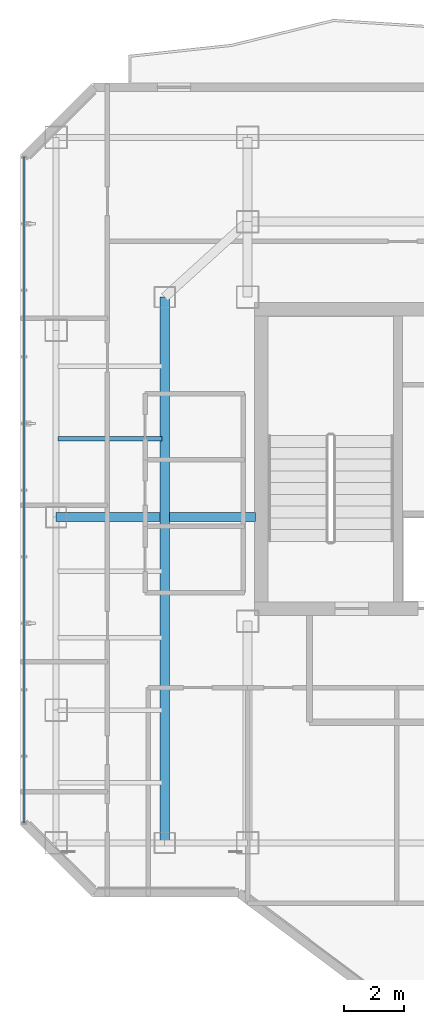
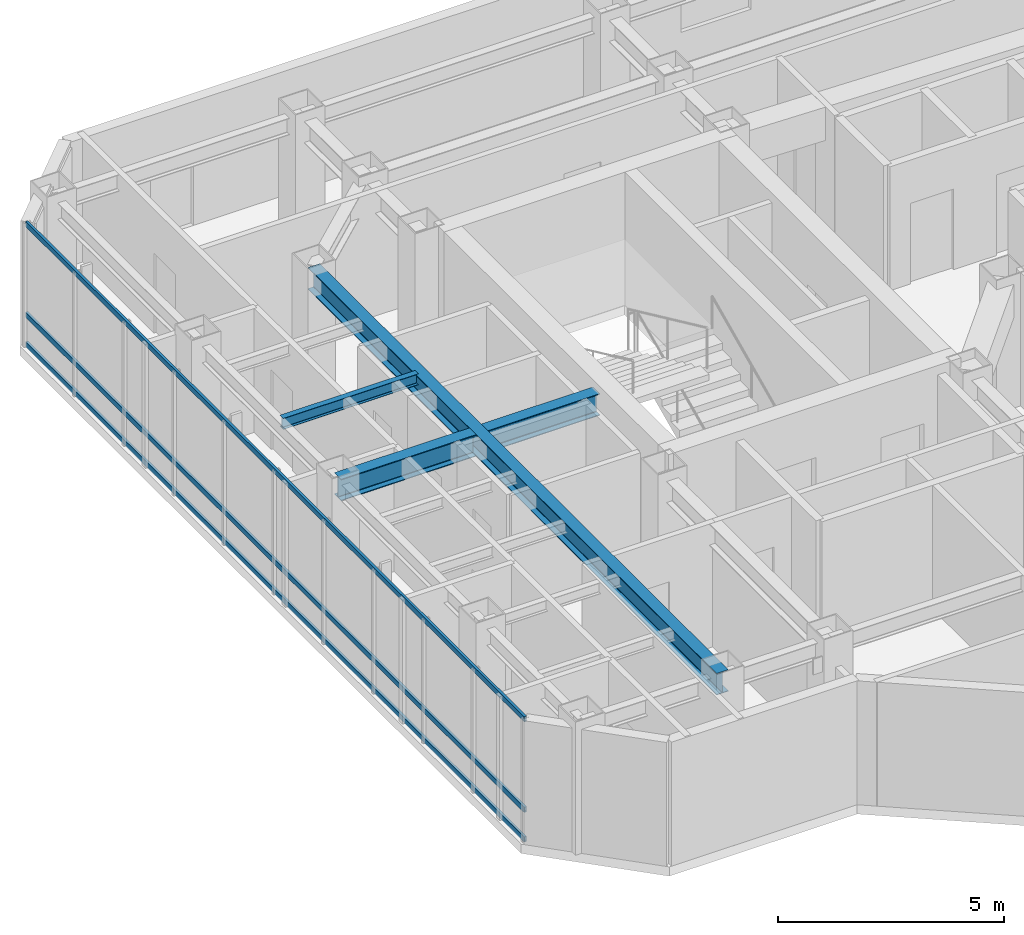
# One storey, part 7 of 26: 4 beams, 3 members, 1 element without a shape of its own.
"""IFC4 building model written with IfcOpenShell, lengths in metres."""

from ifc_helpers import new_model, si_unit, direction, frame, origin, origin_2d, place, context, subcontext, project, spatial, hollow_rectangle, i_section, extrude, material, layer, layer_set, material_profile, profile_set, type_object, element, aggregate, save


model = new_model("IFC4")

# Units and contexts
model_context = context("Model", 3, precision=1e-05, world=origin(), true_north=direction((0.0, 1.0)))
body_context = subcontext(model_context, "Body", "Model", "MODEL_VIEW")
ifc_project = project(units=[si_unit("LENGTHUNIT", "METRE"), si_unit("AREAUNIT", "SQUARE_METRE"), si_unit("VOLUMEUNIT", "CUBIC_METRE"), si_unit("PLANEANGLEUNIT", "RADIAN"), si_unit("MASSUNIT", "GRAM", prefix="KILO")], contexts=[model_context])

# Site, building, storey
site_placement = place(None, origin())
site = spatial("IfcSite", under=ifc_project, at=site_placement, CompositionType="ELEMENT")
building_placement = place(site_placement, origin())
building = spatial("IfcBuilding", under=site, at=building_placement, Name="Hatsunagi Terrace Concourse", CompositionType="ELEMENT")
storey_placement = place(building_placement, frame((0.0, 0.0, 198.75)))
storey = spatial("IfcBuildingStorey", under=building, at=storey_placement, Name="L52", CompositionType="ELEMENT", Elevation=198.75)

# Curtain wall, members
ifc_material_1 = material(Name="Anodised Aluminium Alloy 6063-T5", Category="aluminium")
ifc_layer = layer(ifc_material_1, 0.199951171875)
ifc_layer_set = layer_set([ifc_layer], Name="OfficeZone2_CW04")
curtain_wall_type = type_object("IfcCurtainWallType", Name="OfficeZone2_CW04", PredefinedType="NOTDEFINED", material=ifc_layer_set)
curtain_wall_placement = place(storey_placement, origin())
curtain_wall = element("IfcCurtainWall", 1, at=curtain_wall_placement, inside=storey, type_object=curtain_wall_type, Name="Unitised Curtain Wall CW-04 CW-L52-08", PredefinedType="NOTDEFINED")
ifc_material_2 = material(Name="Anodised Aluminium Alloy 6063-T5", Category="aluminium")
ifc_material_profile_1 = material_profile(ifc_material_2, hollow_rectangle(XDim=0.06494140625, YDim=0.139892578125, WallThickness=0.00390625, at=origin_2d()), Name="ALU-TRN-140x65x4")
ifc_profile_set_1 = profile_set([ifc_material_profile_1], Name="Anodised Aluminium Alloy 6063-T5")
member_type = type_object("IfcMemberType", Name="CurtainWallTransom_140x65", PredefinedType="USERDEFINED", material=ifc_profile_set_1)
member_1_placement = place(storey_placement, frame((18.139892578125, 25.85791015625, 0.050048828125), z_axis=(0.0, 1.0, 0.0), x_axis=(-1.0, 0.0, 0.0)))
member_1 = element("IfcMember", 2, at=member_1_placement, type_object=member_type, Name="Curtain Wall Transom TRN-02", ObjectType="TRANSOM", PredefinedType="USERDEFINED", context=body_context, shape_type="SweptSolid", body=[
    extrude(hollow_rectangle(XDim=0.06494140625, YDim=0.139892578125, WallThickness=0.00390625, at=origin_2d()), origin(), (0.0, 0.0, 1.0), 22.083984375),
])
member_2_placement = place(storey_placement, frame((18.139892578125, 25.85791015625, 0.85009765625), z_axis=(0.0, 1.0, 0.0), x_axis=(-1.0, 0.0, 0.0)))
member_2 = element("IfcMember", 3, at=member_2_placement, type_object=member_type, Name="Curtain Wall Transom TRN-02", ObjectType="TRANSOM", PredefinedType="USERDEFINED", context=body_context, shape_type="SweptSolid", body=[
    extrude(hollow_rectangle(XDim=0.06494140625, YDim=0.139892578125, WallThickness=0.00390625, at=origin_2d()), origin(), (0.0, 0.0, 1.0), 22.083984375),
])
member_3_placement = place(storey_placement, frame((18.139892578125, 25.85791015625, 3.300048828125), z_axis=(0.0, 1.0, 0.0), x_axis=(-1.0, 0.0, 0.0)))
member_3 = element("IfcMember", 4, at=member_3_placement, type_object=member_type, Name="Curtain Wall Transom TRN-02", ObjectType="TRANSOM", PredefinedType="USERDEFINED", context=body_context, shape_type="SweptSolid", body=[
    extrude(hollow_rectangle(XDim=0.06494140625, YDim=0.139892578125, WallThickness=0.00390625, at=origin_2d()), origin(), (0.0, 0.0, 1.0), 22.083984375),
])
aggregate(curtain_wall, [member_1, member_2, member_3])

# Beams
ifc_material_3 = material(Name="Steel SN490B", Category="steel")
ifc_material_profile_2 = material_profile(ifc_material_3, i_section(OverallWidth=0.300048828125, OverallDepth=0.587890625, WebThickness=0.011962890625, FlangeThickness=0.02001953125, FilletRadius=0.01806640625, at=origin_2d()), Name="H-588x300x12x20")
ifc_profile_set_2 = profile_set([ifc_material_profile_2], Name="Steel SN490B")
beam_type_1 = type_object("IfcBeamType", Name="OfficeHighGirder_H_588x300", PredefinedType="BEAM", material=ifc_profile_set_2)
beam_1_placement = place(storey_placement, frame((22.800048828125, 25.199951171875, 3.055908203125), z_axis=(0.0, 1.0, 0.0), x_axis=(-1.0, 0.0, 0.0)))
element("IfcBeam", 5, at=beam_1_placement, inside=storey, type_object=beam_type_1, Name="Beam G-06 BM-L52-CWNS", PredefinedType="BEAM", context=body_context, shape_type="SweptSolid", body=[
    extrude(i_section(OverallWidth=0.300048828125, OverallDepth=0.587890625, WebThickness=0.011962890625, FlangeThickness=0.02001953125, FilletRadius=0.01806640625, at=origin_2d()), origin(), (0.0, 0.0, 1.0), 18.10009765625),
])
beam_2_placement = place(storey_placement, frame((19.199951171875, 36.0, 3.055908203125), z_axis=(1.0, 0.0, 0.0), x_axis=(0.0, 1.0, 0.0)))
element("IfcBeam", 6, at=beam_2_placement, inside=storey, type_object=beam_type_1, Name="Beam G-06 BM-L52-EW-3", PredefinedType="BEAM", context=body_context, shape_type="SweptSolid", body=[
    extrude(i_section(OverallWidth=0.300048828125, OverallDepth=0.587890625, WebThickness=0.011962890625, FlangeThickness=0.02001953125, FilletRadius=0.01806640625, at=origin_2d()), origin(), (0.0, 0.0, 1.0), 3.449951171875),
])
beam_3_placement = place(storey_placement, frame((22.949951171875, 36.0, 3.055908203125), z_axis=(1.0, 0.0, 0.0), x_axis=(0.0, 1.0, 0.0)))
element("IfcBeam", 7, at=beam_3_placement, inside=storey, type_object=beam_type_1, Name="Beam G-06 BM-L52-EW-4", PredefinedType="BEAM", context=body_context, shape_type="SweptSolid", body=[
    extrude(i_section(OverallWidth=0.300048828125, OverallDepth=0.587890625, WebThickness=0.011962890625, FlangeThickness=0.02001953125, FilletRadius=0.01806640625, at=origin_2d()), origin(), (0.0, 0.0, 1.0), 2.860107421875),
])
ifc_material_4 = material(Name="Steel SN490B", Category="steel")
ifc_material_profile_3 = material_profile(ifc_material_4, i_section(OverallWidth=0.14990234375, OverallDepth=0.300048828125, WebThickness=0.006591796875, FlangeThickness=0.009033203125, FilletRadius=0.010986328125, at=origin_2d()), Name="H-300x150x6.5x9")
ifc_profile_set_3 = profile_set([ifc_material_profile_3], Name="Steel SN490B")
beam_type_2 = type_object("IfcBeamType", Name="OfficeJoist_H_300x150", PredefinedType="JOIST", material=ifc_profile_set_3)
beam_4_placement = place(storey_placement, frame((19.264892578125, 38.60009765625, 3.199951171875), z_axis=(1.0, 0.0, 0.0), x_axis=(0.0, 1.0, 0.0)))
element("IfcBeam", 8, at=beam_4_placement, inside=storey, type_object=beam_type_2, Name="Beam J-03 J-L52-W-19-386", PredefinedType="JOIST", context=body_context, shape_type="SweptSolid", body=[
    extrude(i_section(OverallWidth=0.14990234375, OverallDepth=0.300048828125, WebThickness=0.006591796875, FlangeThickness=0.009033203125, FilletRadius=0.010986328125, at=origin_2d()), origin(), (0.0, 0.0, 1.0), 3.4501953125),
])

save(model, "model.ifc")
